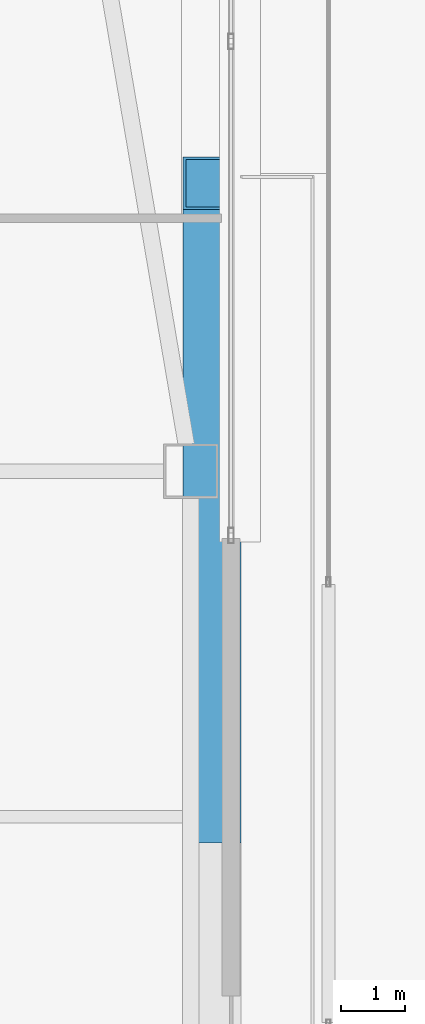
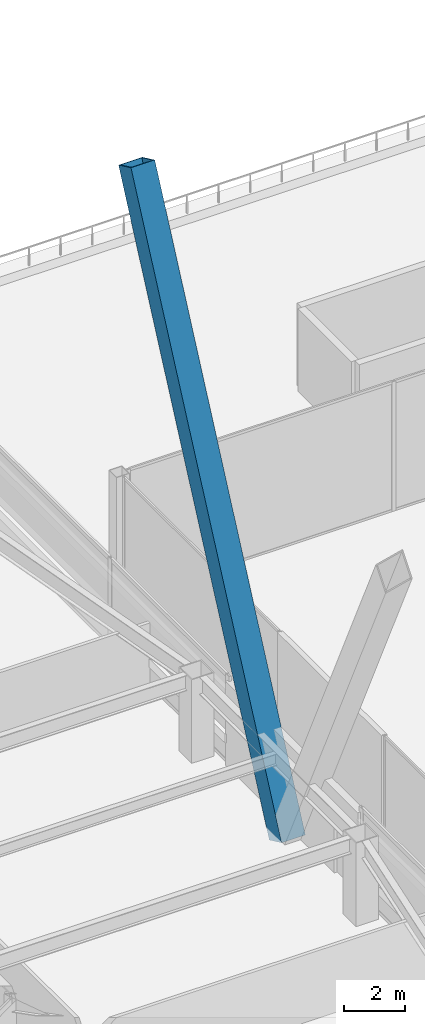
# One storey, part 41 of 83: 1 member.
"""IFC4 building model written with IfcOpenShell, lengths in metres."""

from ifc_helpers import new_model, si_unit, direction, frame, origin, origin_2d, place, context, subcontext, project, spatial, hollow_rectangle, extrude, material, material_profile, profile_set, type_object, element, save


model = new_model("IFC4")

# Units and contexts
model_context = context("Model", 3, precision=1e-05, world=origin(), true_north=direction((0.0, 1.0)))
body_context = subcontext(model_context, "Body", "Model", "MODEL_VIEW")
ifc_project = project(units=[si_unit("LENGTHUNIT", "METRE"), si_unit("AREAUNIT", "SQUARE_METRE"), si_unit("VOLUMEUNIT", "CUBIC_METRE"), si_unit("PLANEANGLEUNIT", "RADIAN"), si_unit("MASSUNIT", "GRAM", prefix="KILO")], contexts=[model_context])

# Site, building, storey
site_placement = place(None, origin())
site = spatial("IfcSite", under=ifc_project, at=site_placement, CompositionType="ELEMENT")
building_placement = place(site_placement, origin())
building = spatial("IfcBuilding", under=site, at=building_placement, Name="Tashvorn Skyway Center", CompositionType="ELEMENT")
storey_placement = place(building_placement, frame((0.0, 0.0, 24.60009765625)))
storey = spatial("IfcBuildingStorey", under=building, at=storey_placement, Name="L05", CompositionType="ELEMENT", Elevation=24.60009765625)

# Member
ifc_material = material(Name="Steel ASTM A572 Grade 50", Category="steel")
ifc_material_profile = material_profile(ifc_material, hollow_rectangle(XDim=0.89990234375, YDim=0.89990234375, WallThickness=0.0400390625, at=origin_2d()), Name="BOX900x900x40")
ifc_profile_set = profile_set([ifc_material_profile], Name="Steel ASTM A572 Grade 50")
member_type = type_object("IfcMemberType", Name="MEM-MB-900", PredefinedType="BRACE", material=ifc_profile_set)
member_placement = place(storey_placement, frame((64.580078125, 32.0, -0.22021484375), z_axis=(0.0, 0.425254538693, 0.905073796616), x_axis=(-1.0, 0.0, 0.0)))
element("IfcMember", 1, at=member_placement, inside=storey, type_object=member_type, Name="Tower 1 Zone 1 E Chevron Mega-Brace R1", PredefinedType="BRACE", context=body_context, shape_type="SweptSolid", body=[
    extrude(hollow_rectangle(XDim=0.89990234375, YDim=0.89990234375, WallThickness=0.0400390625, at=origin_2d()), origin(), (0.0, 0.0, 1.0), 23.280029296875),
])

save(model, "model.ifc")
